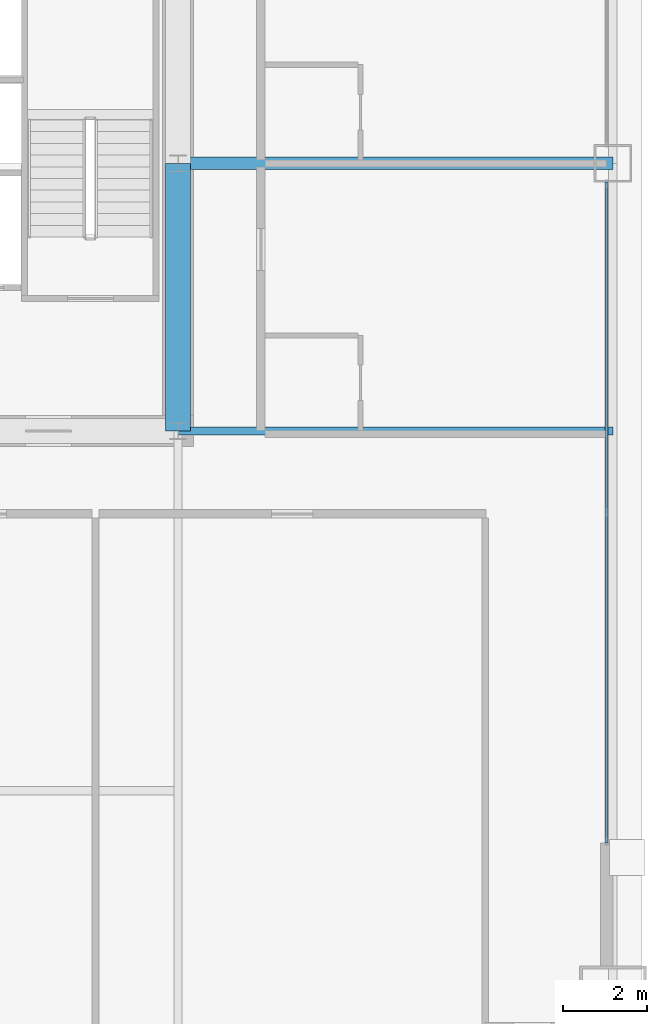
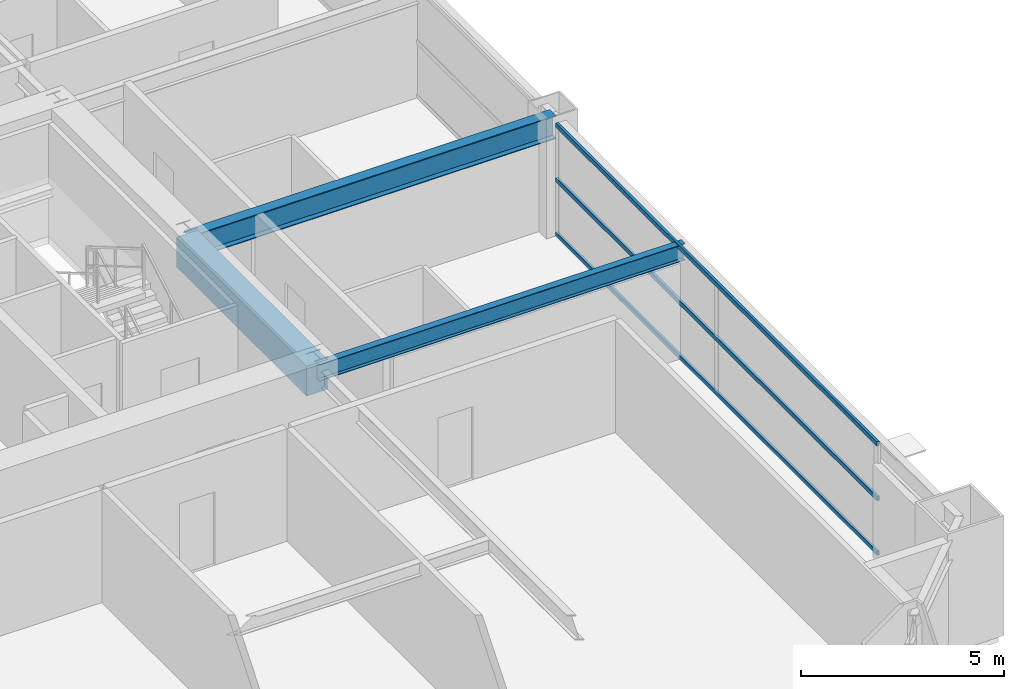
# One storey, part 19 of 39: 3 beams, 3 members, 1 element without a shape of its own.
"""IFC4 building model written with IfcOpenShell, lengths in metres."""

from ifc_helpers import new_model, si_unit, direction, frame, origin, origin_2d, place, context, subcontext, project, spatial, rectangle, hollow_rectangle, i_section, extrude, source, transform, mapped, material, layer, layer_set, material_profile, profile_set, type_object, element, aggregate, save


model = new_model("IFC4")

# Units and contexts
model_context = context("Model", 3, precision=1e-05, world=origin(), true_north=direction((0.0, 1.0)))
body_context = subcontext(model_context, "Body", "Model", "MODEL_VIEW")
ifc_project = project(units=[si_unit("LENGTHUNIT", "METRE"), si_unit("AREAUNIT", "SQUARE_METRE"), si_unit("VOLUMEUNIT", "CUBIC_METRE"), si_unit("PLANEANGLEUNIT", "RADIAN"), si_unit("MASSUNIT", "GRAM", prefix="KILO"), si_unit("THERMODYNAMICTEMPERATUREUNIT", "KELVIN"), si_unit("POWERUNIT", "WATT")], contexts=[model_context])

# Site, building, storey
site_placement = place(None, origin())
site = spatial("IfcSite", under=ifc_project, at=site_placement, CompositionType="ELEMENT")
building_placement = place(site_placement, origin())
building = spatial("IfcBuilding", under=site, at=building_placement, Name="Yuzanri Waterfront Tower", CompositionType="ELEMENT")
storey_placement = place(building_placement, frame((0.0, 0.0, 141.60009765625)))
storey = spatial("IfcBuildingStorey", under=building, at=storey_placement, Name="L37", CompositionType="ELEMENT", Elevation=141.60009765625)

# Beams
ifc_material_1 = material(Name="Concrete C60", Category="concrete")
ifc_material_profile_1 = material_profile(ifc_material_1, rectangle(XDim=0.60009765625, YDim=0.89990234375, at=origin_2d()), Name="RC 600x900")
ifc_profile_set_1 = profile_set([ifc_material_profile_1], Name="Concrete C60")
beam_type_1 = type_object("IfcBeamType", Name="Core Coupling Lintel Concrete C60 600x900", PredefinedType="LINTEL", material=ifc_profile_set_1)
shared_shape_1 = source(origin(), body_context, "Body", "SweptSolid", [
    extrude(rectangle(XDim=0.60009765625, YDim=0.89990234375, at=origin_2d()), origin(), (0.0, 0.0, 1.0), 6.400146484375),
])
beam_1_placement = place(storey_placement, frame((50.199951171875, 19.39990234375, 2.929931640625), z_axis=(0.0, 1.0, 0.0), x_axis=(-1.0, 0.0, 0.0)))
element("IfcBeam", 1, at=beam_1_placement, inside=storey, type_object=beam_type_1, Name="L37 Core Tie Beam CE1", PredefinedType="LINTEL", context=body_context, shape_type="MappedRepresentation", body=[
    mapped(shared_shape_1, transform((0.0, 0.0, 0.0), scale=1.0)),
])
ifc_material_2 = material(Name="Steel Q355B", Category="steel")
ifc_material_profile_2 = material_profile(ifc_material_2, i_section(OverallWidth=0.300048828125, OverallDepth=0.699951171875, WebThickness=0.012939453125, FlangeThickness=0.02392578125, at=origin_2d()), Name="HN 700x300x13x24")
ifc_profile_set_2 = profile_set([ifc_material_profile_2], Name="Steel Q355B")
beam_type_2 = type_object("IfcBeamType", Name="Primary Floor Girder Q355B HN 700x300", PredefinedType="BEAM", material=ifc_profile_set_2)
shared_shape_2 = source(origin(), body_context, "Body", "SweptSolid", [
    extrude(i_section(OverallWidth=0.300048828125, OverallDepth=0.699951171875, WebThickness=0.012939453125, FlangeThickness=0.02392578125, at=origin_2d()), origin(), (0.0, 0.0, 1.0), 10.400146484375),
])
beam_2_placement = place(storey_placement, frame((50.199951171875, 25.800048828125, 3.02978515625), z_axis=(1.0, 0.0, 0.0), x_axis=(0.0, 1.0, 0.0)))
element("IfcBeam", 2, at=beam_2_placement, inside=storey, type_object=beam_type_2, Name="L37 East Grid Girder", PredefinedType="BEAM", context=body_context, shape_type="MappedRepresentation", body=[
    mapped(shared_shape_2, transform((0.0, 0.0, 0.0), scale=1.0)),
])
ifc_material_3 = material(Name="Steel Q355B", Category="steel")
ifc_material_profile_3 = material_profile(ifc_material_3, i_section(OverallWidth=0.199951171875, OverallDepth=0.5, WebThickness=0.010009765625, FlangeThickness=0.01611328125, at=origin_2d()), Name="HN 500x200x10x16")
ifc_profile_set_3 = profile_set([ifc_material_profile_3], Name="Steel Q355B")
beam_type_3 = type_object("IfcBeamType", Name="Secondary Floor Beam Q355B HN 500x200", PredefinedType="BEAM", material=ifc_profile_set_3)
shared_shape_3 = source(origin(), body_context, "Body", "SweptSolid", [
    extrude(i_section(OverallWidth=0.199951171875, OverallDepth=0.5, WebThickness=0.010009765625, FlangeThickness=0.01611328125, at=origin_2d()), origin(), (0.0, 0.0, 1.0), 10.400146484375),
])
beam_3_placement = place(storey_placement, frame((50.199951171875, 19.39990234375, 3.1298828125), z_axis=(1.0, 0.0, 0.0), x_axis=(0.0, 1.0, 0.0)))
element("IfcBeam", 3, at=beam_3_placement, inside=storey, type_object=beam_type_3, Name="L37 East-South Core Line Beam", PredefinedType="BEAM", context=body_context, shape_type="MappedRepresentation", body=[
    mapped(shared_shape_3, transform((0.0, 0.0, 0.0), scale=1.0)),
])

# Curtain wall, members
ifc_material_4 = material(Name="Anodized Architectural Bronze", Category="metal")
ifc_layer = layer(ifc_material_4, 0.159912109375)
ifc_layer_set = layer_set([ifc_layer], Name="Anodized Architectural Bronze")
curtain_wall_type = type_object("IfcCurtainWallType", Name="Anodized Bronze Hotel Upper-Tier Solar-Control Unitized Curtain Wall 7800", PredefinedType="NOTDEFINED", material=ifc_layer_set)
curtain_wall_placement = place(storey_placement, origin())
curtain_wall = element("IfcCurtainWall", 4, at=curtain_wall_placement, inside=storey, type_object=curtain_wall_type, Name="L37 Curtain Wall CW-L37-EL", PredefinedType="NOTDEFINED")
ifc_material_5 = material(Name="Anodized Architectural Bronze", Category="metal")
ifc_material_profile_4 = material_profile(ifc_material_5, hollow_rectangle(XDim=0.070068359375, YDim=0.135009765625, WallThickness=0.00341796875, at=origin_2d()), Name="CWT 70x135")
ifc_profile_set_4 = profile_set([ifc_material_profile_4], Name="Anodized Architectural Bronze")
member_type = type_object("IfcMemberType", Name="Anodized Bronze Standard Curtain-Wall Transom 70x135", PredefinedType="USERDEFINED", material=ifc_profile_set_4)
shared_shape_4 = source(origin(), body_context, "Body", "SweptSolid", [
    extrude(hollow_rectangle(XDim=0.070068359375, YDim=0.135009765625, WallThickness=0.00341796875, at=origin_2d()), origin(), (0.0, 0.0, 1.0), 15.800048828125),
])
member_1_placement = place(storey_placement, frame((60.449951171875, 9.550048828125, 0.0498046875), z_axis=(0.0, 1.0, 0.0), x_axis=(-1.0, 0.0, 0.0)))
member_1 = element("IfcMember", 5, at=member_1_placement, type_object=member_type, Name="CW-L37-EL Transom 1", ObjectType="TRANSOM", PredefinedType="USERDEFINED", context=body_context, shape_type="MappedRepresentation", body=[
    mapped(shared_shape_4, transform((0.0, 0.0, 0.0), scale=1.0)),
])
member_2_placement = place(storey_placement, frame((60.449951171875, 9.550048828125, 1.68994140625), z_axis=(0.0, 1.0, 0.0), x_axis=(-1.0, 0.0, 0.0)))
member_2 = element("IfcMember", 6, at=member_2_placement, type_object=member_type, Name="CW-L37-EL Transom 2", ObjectType="TRANSOM", PredefinedType="USERDEFINED", context=body_context, shape_type="MappedRepresentation", body=[
    mapped(shared_shape_4, transform((0.0, 0.0, 0.0), scale=1.0)),
])
member_3_placement = place(storey_placement, frame((60.449951171875, 9.550048828125, 3.329833984375), z_axis=(0.0, 1.0, 0.0), x_axis=(-1.0, 0.0, 0.0)))
member_3 = element("IfcMember", 7, at=member_3_placement, type_object=member_type, Name="CW-L37-EL Transom 3", ObjectType="TRANSOM", PredefinedType="USERDEFINED", context=body_context, shape_type="MappedRepresentation", body=[
    mapped(shared_shape_4, transform((0.0, 0.0, 0.0), scale=1.0)),
])
aggregate(curtain_wall, [member_1, member_2, member_3])

save(model, "model.ifc")
